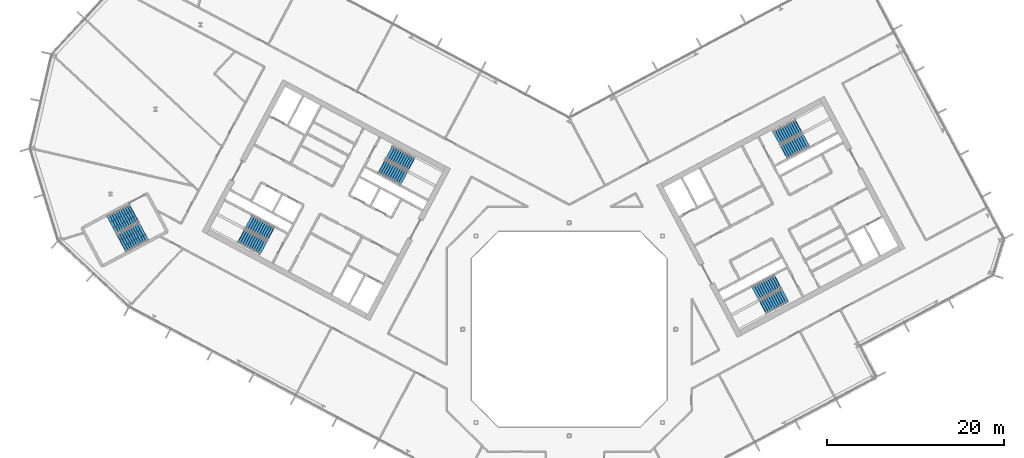
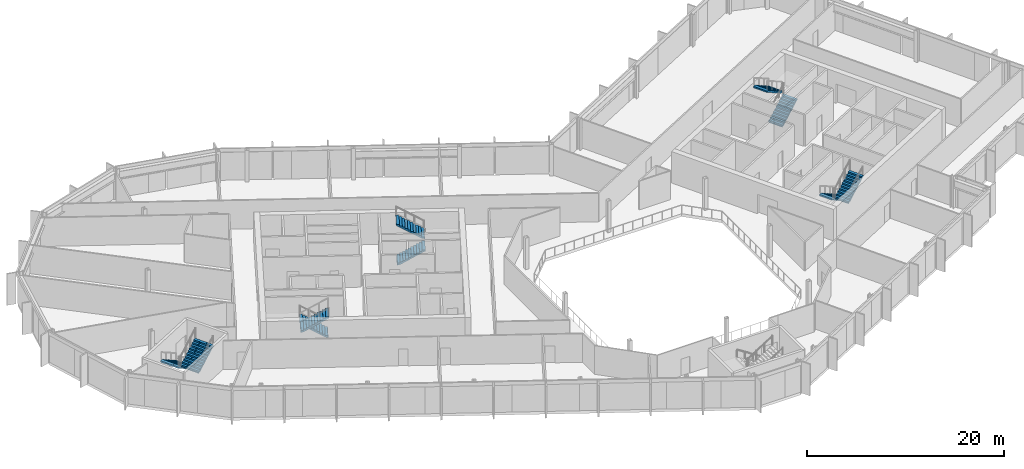
# One storey, part 17 of 26: 10 stair flights, 5 elements without a shape of their own.
"""IFC4 building model written with IfcOpenShell, lengths in metres."""

from ifc_helpers import new_model, si_unit, direction, frame, origin, place, context, subcontext, project, spatial, polyline, outline, extrude, material, type_object, element, aggregate, save


model = new_model("IFC4")

# Units and contexts
model_context = context("Model", 3, precision=1e-05, world=origin(), true_north=direction((0.0, 1.0)))
body_context = subcontext(model_context, "Body", "Model", "MODEL_VIEW")
ifc_project = project(units=[si_unit("LENGTHUNIT", "METRE"), si_unit("AREAUNIT", "SQUARE_METRE"), si_unit("VOLUMEUNIT", "CUBIC_METRE"), si_unit("PLANEANGLEUNIT", "RADIAN"), si_unit("MASSUNIT", "GRAM", prefix="KILO")], contexts=[model_context])

# Site, building, storey
site_placement = place(None, origin())
site = spatial("IfcSite", under=ifc_project, at=site_placement, CompositionType="ELEMENT")
building_placement = place(site_placement, origin())
building = spatial("IfcBuilding", under=site, at=building_placement, Name="Cormorant Relay Tower", CompositionType="ELEMENT")
storey_placement = place(building_placement, frame((0.0, 0.0, 205.199951171875)))
storey = spatial("IfcBuildingStorey", under=building, at=storey_placement, Name="L44", CompositionType="ELEMENT", Elevation=205.199951171875)

# Stair, stair flights
ifc_material_1 = material(Name="Concrete 40 MPa", Category="concrete")
stair_type_1 = type_object("IfcStairType", Name="Exit stair 1500", PredefinedType="HALF_TURN_STAIR", material=ifc_material_1)
stair_1_placement = place(storey_placement, origin())
stair_1 = element("IfcStair", 1, at=stair_1_placement, inside=storey, type_object=stair_type_1, Name="L44 Stair", PredefinedType="HALF_TURN_STAIR")
ifc_material_2 = material(Name="Concrete 40 MPa", Category="concrete")
stair_flight_type_1 = type_object("IfcStairFlightType", Name="Exit stair flight 1650", PredefinedType="STRAIGHT", material=ifc_material_2)
stair_flight_1_placement = place(storey_placement, frame((-21.114501953125, 18.33349609375, 0.0), z_axis=(0.0, 0.0, 1.0), x_axis=(0.882947592859, -0.469471562786, 0.0)))
stair_flight_1 = element("IfcStairFlight", 2, at=stair_flight_1_placement, type_object=stair_flight_type_1, Name="A1 flight 1", NumberOfRisers=11, NumberOfTreads=10, PredefinedType="STRAIGHT", RiserHeight=0.177272727, TreadLength=0.28, context=body_context, shape_type="SweptSolid", body=[
    extrude(outline(polyline([(-0.050048828125, -0.080078125), (-0.050048828125, 0.0), (0.0, 0.0), (0.0, 0.17724609375), (0.280029296875, 0.17724609375), (0.280029296875, 0.3544921875), (0.56005859375, 0.3544921875), (0.56005859375, 0.53173828125), (0.840087890625, 0.53173828125), (0.840087890625, 0.708984375), (1.1201171875, 0.708984375), (1.1201171875, 0.886474609375), (1.39990234375, 0.886474609375), (1.39990234375, 1.063720703125), (1.679931640625, 1.063720703125), (1.679931640625, 1.240966796875), (1.9599609375, 1.240966796875), (1.9599609375, 1.418212890625), (2.239990234375, 1.418212890625), (2.239990234375, 1.595458984375), (2.52001953125, 1.595458984375), (2.52001953125, 1.772705078125), (2.800048828125, 1.772705078125), (2.85009765625, 1.772705078125), (2.85009765625, 1.59521484375), (2.800048828125, 1.59521484375), (0.2802734375, 0.0), (-0.050048828125, -0.080078125)])), frame((0.0, 0.824951171875, 0.0), z_axis=(0.0, -1.0, 0.0), x_axis=(1.0, 0.0, 0.0)), (0.0, 0.0, 1.0), 1.64990234375),
])
stair_flight_2_placement = place(storey_placement, frame((-17.797119140625, 18.6083984375, 1.949951171875), z_axis=(0.0, 0.0, 1.0), x_axis=(-0.882947592859, 0.469471562786, 0.0)))
stair_flight_2 = element("IfcStairFlight", 3, at=stair_flight_2_placement, type_object=stair_flight_type_1, Name="A1 flight 2", NumberOfRisers=11, NumberOfTreads=10, PredefinedType="STRAIGHT", RiserHeight=0.177272727, TreadLength=0.28, context=body_context, shape_type="SweptSolid", body=[
    extrude(outline(polyline([(-0.050048828125, -0.080078125), (-0.050048828125, 0.0), (0.0, 0.0), (0.0, 0.17724609375), (0.280029296875, 0.17724609375), (0.280029296875, 0.3544921875), (0.56005859375, 0.3544921875), (0.56005859375, 0.53173828125), (0.840087890625, 0.53173828125), (0.840087890625, 0.708984375), (1.1201171875, 0.708984375), (1.1201171875, 0.886474609375), (1.39990234375, 0.886474609375), (1.39990234375, 1.063720703125), (1.679931640625, 1.063720703125), (1.679931640625, 1.240966796875), (1.9599609375, 1.240966796875), (1.9599609375, 1.418212890625), (2.239990234375, 1.418212890625), (2.239990234375, 1.595458984375), (2.52001953125, 1.595458984375), (2.52001953125, 1.772705078125), (2.800048828125, 1.772705078125), (2.85009765625, 1.772705078125), (2.85009765625, 1.59521484375), (2.800048828125, 1.59521484375), (0.2802734375, 0.0), (-0.050048828125, -0.080078125)])), frame((0.0, 0.824951171875, 0.0), z_axis=(0.0, -1.0, 0.0), x_axis=(1.0, 0.0, 0.0)), (0.0, 0.0, 1.0), 1.64990234375),
])
aggregate(stair_1, [stair_flight_1, stair_flight_2])

stair_2_placement = place(storey_placement, origin())
stair_2 = element("IfcStair", 4, at=stair_2_placement, inside=storey, type_object=stair_type_1, Name="L44 Stair", PredefinedType="HALF_TURN_STAIR")
stair_flight_3_placement = place(storey_placement, frame((-33.62841796875, 10.773681640625, 0.0), z_axis=(0.0, 0.0, 1.0), x_axis=(-0.882947592859, 0.469471562786, 0.0)))
stair_flight_3 = element("IfcStairFlight", 5, at=stair_flight_3_placement, type_object=stair_flight_type_1, Name="A2 flight 1", NumberOfRisers=11, NumberOfTreads=10, PredefinedType="STRAIGHT", RiserHeight=0.177272727, TreadLength=0.28, context=body_context, shape_type="SweptSolid", body=[
    extrude(outline(polyline([(-0.050048828125, -0.080078125), (-0.050048828125, 0.0), (0.0, 0.0), (0.0, 0.17724609375), (0.280029296875, 0.17724609375), (0.280029296875, 0.3544921875), (0.56005859375, 0.3544921875), (0.56005859375, 0.53173828125), (0.840087890625, 0.53173828125), (0.840087890625, 0.708984375), (1.1201171875, 0.708984375), (1.1201171875, 0.886474609375), (1.39990234375, 0.886474609375), (1.39990234375, 1.063720703125), (1.679931640625, 1.063720703125), (1.679931640625, 1.240966796875), (1.9599609375, 1.240966796875), (1.9599609375, 1.418212890625), (2.239990234375, 1.418212890625), (2.239990234375, 1.595458984375), (2.52001953125, 1.595458984375), (2.52001953125, 1.772705078125), (2.800048828125, 1.772705078125), (2.85009765625, 1.772705078125), (2.85009765625, 1.59521484375), (2.800048828125, 1.59521484375), (0.2802734375, 0.0), (-0.050048828125, -0.080078125)])), frame((0.0, 0.824951171875, 0.0), z_axis=(0.0, -1.0, 0.0), x_axis=(1.0, 0.0, 0.0)), (0.0, 0.0, 1.0), 1.64990234375),
])
stair_flight_4_placement = place(storey_placement, frame((-36.945556640625, 10.498779296875, 1.949951171875), z_axis=(0.0, 0.0, 1.0), x_axis=(0.882947592859, -0.469471562786, 0.0)))
stair_flight_4 = element("IfcStairFlight", 6, at=stair_flight_4_placement, type_object=stair_flight_type_1, Name="A2 flight 2", NumberOfRisers=11, NumberOfTreads=10, PredefinedType="STRAIGHT", RiserHeight=0.177272727, TreadLength=0.28, context=body_context, shape_type="SweptSolid", body=[
    extrude(outline(polyline([(-0.050048828125, -0.080078125), (-0.050048828125, 0.0), (0.0, 0.0), (0.0, 0.17724609375), (0.280029296875, 0.17724609375), (0.280029296875, 0.3544921875), (0.56005859375, 0.3544921875), (0.56005859375, 0.53173828125), (0.840087890625, 0.53173828125), (0.840087890625, 0.708984375), (1.1201171875, 0.708984375), (1.1201171875, 0.886474609375), (1.39990234375, 0.886474609375), (1.39990234375, 1.063720703125), (1.679931640625, 1.063720703125), (1.679931640625, 1.240966796875), (1.9599609375, 1.240966796875), (1.9599609375, 1.418212890625), (2.239990234375, 1.418212890625), (2.239990234375, 1.595458984375), (2.52001953125, 1.595458984375), (2.52001953125, 1.772705078125), (2.800048828125, 1.772705078125), (2.85009765625, 1.772705078125), (2.85009765625, 1.59521484375), (2.800048828125, 1.59521484375), (0.2802734375, 0.0), (-0.050048828125, -0.080078125)])), frame((0.0, 0.824951171875, 0.0), z_axis=(0.0, -1.0, 0.0), x_axis=(1.0, 0.0, 0.0)), (0.0, 0.0, 1.0), 1.64990234375),
])
aggregate(stair_2, [stair_flight_3, stair_flight_4])

stair_3_placement = place(storey_placement, origin())
stair_3 = element("IfcStair", 7, at=stair_3_placement, inside=storey, type_object=stair_type_1, Name="L44 Stair", PredefinedType="HALF_TURN_STAIR")
stair_flight_5_placement = place(storey_placement, frame((23.474365234375, 5.374755859375, 0.0), z_axis=(0.0, 0.0, 1.0), x_axis=(-0.882947592859, -0.469471562786, 0.0)))
stair_flight_5 = element("IfcStairFlight", 8, at=stair_flight_5_placement, type_object=stair_flight_type_1, Name="B1 flight 1", NumberOfRisers=11, NumberOfTreads=10, PredefinedType="STRAIGHT", RiserHeight=0.177272727, TreadLength=0.28, context=body_context, shape_type="SweptSolid", body=[
    extrude(outline(polyline([(-0.050048828125, -0.080078125), (-0.050048828125, 0.0), (0.0, 0.0), (0.0, 0.17724609375), (0.280029296875, 0.17724609375), (0.280029296875, 0.3544921875), (0.56005859375, 0.3544921875), (0.56005859375, 0.53173828125), (0.840087890625, 0.53173828125), (0.840087890625, 0.708984375), (1.1201171875, 0.708984375), (1.1201171875, 0.886474609375), (1.39990234375, 0.886474609375), (1.39990234375, 1.063720703125), (1.679931640625, 1.063720703125), (1.679931640625, 1.240966796875), (1.9599609375, 1.240966796875), (1.9599609375, 1.418212890625), (2.239990234375, 1.418212890625), (2.239990234375, 1.595458984375), (2.52001953125, 1.595458984375), (2.52001953125, 1.772705078125), (2.800048828125, 1.772705078125), (2.85009765625, 1.772705078125), (2.85009765625, 1.59521484375), (2.800048828125, 1.59521484375), (0.2802734375, 0.0), (-0.050048828125, -0.080078125)])), frame((0.0, 0.824951171875, 0.0), z_axis=(0.0, -1.0, 0.0), x_axis=(1.0, 0.0, 0.0)), (0.0, 0.0, 1.0), 1.64990234375),
])
stair_flight_6_placement = place(storey_placement, frame((21.84716796875, 2.470947265625, 1.949951171875), z_axis=(0.0, 0.0, 1.0), x_axis=(0.882947592859, 0.469471562786, 0.0)))
stair_flight_6 = element("IfcStairFlight", 9, at=stair_flight_6_placement, type_object=stair_flight_type_1, Name="B1 flight 2", NumberOfRisers=11, NumberOfTreads=10, PredefinedType="STRAIGHT", RiserHeight=0.177272727, TreadLength=0.28, context=body_context, shape_type="SweptSolid", body=[
    extrude(outline(polyline([(-0.050048828125, -0.080078125), (-0.050048828125, 0.0), (0.0, 0.0), (0.0, 0.17724609375), (0.280029296875, 0.17724609375), (0.280029296875, 0.3544921875), (0.56005859375, 0.3544921875), (0.56005859375, 0.53173828125), (0.840087890625, 0.53173828125), (0.840087890625, 0.708984375), (1.1201171875, 0.708984375), (1.1201171875, 0.886474609375), (1.39990234375, 0.886474609375), (1.39990234375, 1.063720703125), (1.679931640625, 1.063720703125), (1.679931640625, 1.240966796875), (1.9599609375, 1.240966796875), (1.9599609375, 1.418212890625), (2.239990234375, 1.418212890625), (2.239990234375, 1.595458984375), (2.52001953125, 1.595458984375), (2.52001953125, 1.772705078125), (2.800048828125, 1.772705078125), (2.85009765625, 1.772705078125), (2.85009765625, 1.59521484375), (2.800048828125, 1.59521484375), (0.2802734375, 0.0), (-0.050048828125, -0.080078125)])), frame((0.0, 0.824951171875, 0.0), z_axis=(0.0, -1.0, 0.0), x_axis=(1.0, 0.0, 0.0)), (0.0, 0.0, 1.0), 1.64990234375),
])
aggregate(stair_3, [stair_flight_5, stair_flight_6])

stair_4_placement = place(storey_placement, origin())
stair_4 = element("IfcStair", 10, at=stair_4_placement, inside=storey, type_object=stair_type_1, Name="L44 Stair", PredefinedType="HALF_TURN_STAIR")
stair_flight_7_placement = place(storey_placement, frame((24.20458984375, 19.976806640625, 0.0), z_axis=(0.0, 0.0, 1.0), x_axis=(0.882947592859, 0.469471562786, 0.0)))
stair_flight_7 = element("IfcStairFlight", 11, at=stair_flight_7_placement, type_object=stair_flight_type_1, Name="B2 flight 1", NumberOfRisers=11, NumberOfTreads=10, PredefinedType="STRAIGHT", RiserHeight=0.177272727, TreadLength=0.28, context=body_context, shape_type="SweptSolid", body=[
    extrude(outline(polyline([(-0.050048828125, -0.080078125), (-0.050048828125, 0.0), (0.0, 0.0), (0.0, 0.17724609375), (0.280029296875, 0.17724609375), (0.280029296875, 0.3544921875), (0.56005859375, 0.3544921875), (0.56005859375, 0.53173828125), (0.840087890625, 0.53173828125), (0.840087890625, 0.708984375), (1.1201171875, 0.708984375), (1.1201171875, 0.886474609375), (1.39990234375, 0.886474609375), (1.39990234375, 1.063720703125), (1.679931640625, 1.063720703125), (1.679931640625, 1.240966796875), (1.9599609375, 1.240966796875), (1.9599609375, 1.418212890625), (2.239990234375, 1.418212890625), (2.239990234375, 1.595458984375), (2.52001953125, 1.595458984375), (2.52001953125, 1.772705078125), (2.800048828125, 1.772705078125), (2.85009765625, 1.772705078125), (2.85009765625, 1.59521484375), (2.800048828125, 1.59521484375), (0.2802734375, 0.0), (-0.050048828125, -0.080078125)])), frame((0.0, 0.824951171875, 0.0), z_axis=(0.0, -1.0, 0.0), x_axis=(1.0, 0.0, 0.0)), (0.0, 0.0, 1.0), 1.64990234375),
])
stair_flight_8_placement = place(storey_placement, frame((25.831787109375, 22.880615234375, 1.949951171875), z_axis=(0.0, 0.0, 1.0), x_axis=(-0.882947592859, -0.469471562786, 0.0)))
stair_flight_8 = element("IfcStairFlight", 12, at=stair_flight_8_placement, type_object=stair_flight_type_1, Name="B2 flight 2", NumberOfRisers=11, NumberOfTreads=10, PredefinedType="STRAIGHT", RiserHeight=0.177272727, TreadLength=0.28, context=body_context, shape_type="SweptSolid", body=[
    extrude(outline(polyline([(-0.050048828125, -0.080078125), (-0.050048828125, 0.0), (0.0, 0.0), (0.0, 0.17724609375), (0.280029296875, 0.17724609375), (0.280029296875, 0.3544921875), (0.56005859375, 0.3544921875), (0.56005859375, 0.53173828125), (0.840087890625, 0.53173828125), (0.840087890625, 0.708984375), (1.1201171875, 0.708984375), (1.1201171875, 0.886474609375), (1.39990234375, 0.886474609375), (1.39990234375, 1.063720703125), (1.679931640625, 1.063720703125), (1.679931640625, 1.240966796875), (1.9599609375, 1.240966796875), (1.9599609375, 1.418212890625), (2.239990234375, 1.418212890625), (2.239990234375, 1.595458984375), (2.52001953125, 1.595458984375), (2.52001953125, 1.772705078125), (2.800048828125, 1.772705078125), (2.85009765625, 1.772705078125), (2.85009765625, 1.59521484375), (2.800048828125, 1.59521484375), (0.2802734375, 0.0), (-0.050048828125, -0.080078125)])), frame((0.0, 0.824951171875, 0.0), z_axis=(0.0, -1.0, 0.0), x_axis=(1.0, 0.0, 0.0)), (0.0, 0.0, 1.0), 1.64990234375),
])
aggregate(stair_4, [stair_flight_7, stair_flight_8])

ifc_material_3 = material(Name="Concrete 40 MPa", Category="concrete")
stair_type_2 = type_object("IfcStairType", Name="Remote exit stair 2200", PredefinedType="HALF_TURN_STAIR", material=ifc_material_3)
stair_5_placement = place(storey_placement, origin())
stair_5 = element("IfcStair", 13, at=stair_5_placement, inside=storey, type_object=stair_type_2, Name="L44 Stair", PredefinedType="HALF_TURN_STAIR")
ifc_material_4 = material(Name="Concrete 40 MPa", Category="concrete")
stair_flight_type_2 = type_object("IfcStairFlightType", Name="Remote exit stair flight 2200", PredefinedType="STRAIGHT", material=ifc_material_4)
stair_flight_9_placement = place(storey_placement, frame((-49.062255859375, 13.08251953125, 0.0), z_axis=(0.0, 0.0, 1.0), x_axis=(-0.882947502727, -0.4694717323, 0.0)))
stair_flight_9 = element("IfcStairFlight", 14, at=stair_flight_9_placement, type_object=stair_flight_type_2, Name="RP1 flight 1", NumberOfRisers=11, NumberOfTreads=10, PredefinedType="STRAIGHT", RiserHeight=0.177272727, TreadLength=0.28, context=body_context, shape_type="SweptSolid", body=[
    extrude(outline(polyline([(-0.050048828125, -0.080078125), (-0.050048828125, 0.0), (0.0, 0.0), (0.0, 0.17724609375), (0.280029296875, 0.17724609375), (0.280029296875, 0.3544921875), (0.56005859375, 0.3544921875), (0.56005859375, 0.53173828125), (0.840087890625, 0.53173828125), (0.840087890625, 0.708984375), (1.1201171875, 0.708984375), (1.1201171875, 0.886474609375), (1.39990234375, 0.886474609375), (1.39990234375, 1.063720703125), (1.679931640625, 1.063720703125), (1.679931640625, 1.240966796875), (1.9599609375, 1.240966796875), (1.9599609375, 1.418212890625), (2.239990234375, 1.418212890625), (2.239990234375, 1.595458984375), (2.52001953125, 1.595458984375), (2.52001953125, 1.772705078125), (2.800048828125, 1.772705078125), (2.85009765625, 1.772705078125), (2.85009765625, 1.59521484375), (2.800048828125, 1.59521484375), (0.2802734375, 0.0), (-0.050048828125, -0.080078125)])), frame((0.0, 1.10009765625, 0.0), z_axis=(0.0, -1.0, 0.0), x_axis=(1.0, 0.0, 0.0)), (0.0, 0.0, 1.0), 0.719970703125),
    extrude(outline(polyline([(-0.050048828125, -0.080078125), (-0.050048828125, 0.0), (0.0, 0.0), (0.0, 0.17724609375), (0.280029296875, 0.17724609375), (0.280029296875, 0.3544921875), (0.56005859375, 0.3544921875), (0.56005859375, 0.53173828125), (0.840087890625, 0.53173828125), (0.840087890625, 0.708984375), (1.1201171875, 0.708984375), (1.1201171875, 0.886474609375), (1.39990234375, 0.886474609375), (1.39990234375, 1.063720703125), (1.679931640625, 1.063720703125), (1.679931640625, 1.240966796875), (1.9599609375, 1.240966796875), (1.9599609375, 1.418212890625), (2.239990234375, 1.418212890625), (2.239990234375, 1.595458984375), (2.52001953125, 1.595458984375), (2.52001953125, 1.772705078125), (2.800048828125, 1.772705078125), (2.85009765625, 1.772705078125), (2.85009765625, 1.59521484375), (2.800048828125, 1.59521484375), (0.2802734375, 0.0), (-0.050048828125, -0.080078125)])), frame((0.0, 0.360107421875, 0.0), z_axis=(0.0, -1.0, 0.0), x_axis=(1.0, 0.0, 0.0)), (0.0, 0.0, 1.0), 0.719970703125),
    extrude(outline(polyline([(-0.050048828125, -0.080078125), (-0.050048828125, 0.0), (0.0, 0.0), (0.0, 0.17724609375), (0.280029296875, 0.17724609375), (0.280029296875, 0.3544921875), (0.56005859375, 0.3544921875), (0.56005859375, 0.53173828125), (0.840087890625, 0.53173828125), (0.840087890625, 0.708984375), (1.1201171875, 0.708984375), (1.1201171875, 0.886474609375), (1.39990234375, 0.886474609375), (1.39990234375, 1.063720703125), (1.679931640625, 1.063720703125), (1.679931640625, 1.240966796875), (1.9599609375, 1.240966796875), (1.9599609375, 1.418212890625), (2.239990234375, 1.418212890625), (2.239990234375, 1.595458984375), (2.52001953125, 1.595458984375), (2.52001953125, 1.772705078125), (2.800048828125, 1.772705078125), (2.85009765625, 1.772705078125), (2.85009765625, 1.59521484375), (2.800048828125, 1.59521484375), (0.2802734375, 0.0), (-0.050048828125, -0.080078125)])), frame((0.0, -0.3798828125, 0.0), z_axis=(0.0, -1.0, 0.0), x_axis=(1.0, 0.0, 0.0)), (0.0, 0.0, 1.0), 0.719970703125),
])
stair_flight_10_placement = place(storey_placement, frame((-50.431396484375, 9.693115234375, 1.949951171875), z_axis=(0.0, 0.0, 1.0), x_axis=(0.882947502727, 0.4694717323, 0.0)))
stair_flight_10 = element("IfcStairFlight", 15, at=stair_flight_10_placement, type_object=stair_flight_type_2, Name="RP1 flight 2", NumberOfRisers=11, NumberOfTreads=10, PredefinedType="STRAIGHT", RiserHeight=0.177272727, TreadLength=0.28, context=body_context, shape_type="SweptSolid", body=[
    extrude(outline(polyline([(-0.050048828125, -0.080078125), (-0.050048828125, 0.0), (0.0, 0.0), (0.0, 0.17724609375), (0.280029296875, 0.17724609375), (0.280029296875, 0.3544921875), (0.56005859375, 0.3544921875), (0.56005859375, 0.53173828125), (0.840087890625, 0.53173828125), (0.840087890625, 0.708984375), (1.1201171875, 0.708984375), (1.1201171875, 0.886474609375), (1.39990234375, 0.886474609375), (1.39990234375, 1.063720703125), (1.679931640625, 1.063720703125), (1.679931640625, 1.240966796875), (1.9599609375, 1.240966796875), (1.9599609375, 1.418212890625), (2.239990234375, 1.418212890625), (2.239990234375, 1.595458984375), (2.52001953125, 1.595458984375), (2.52001953125, 1.772705078125), (2.800048828125, 1.772705078125), (2.85009765625, 1.772705078125), (2.85009765625, 1.59521484375), (2.800048828125, 1.59521484375), (0.2802734375, 0.0), (-0.050048828125, -0.080078125)])), frame((0.0, 1.10009765625, 0.0), z_axis=(0.0, -1.0, 0.0), x_axis=(1.0, 0.0, 0.0)), (0.0, 0.0, 1.0), 0.719970703125),
    extrude(outline(polyline([(-0.050048828125, -0.080078125), (-0.050048828125, 0.0), (0.0, 0.0), (0.0, 0.17724609375), (0.280029296875, 0.17724609375), (0.280029296875, 0.3544921875), (0.56005859375, 0.3544921875), (0.56005859375, 0.53173828125), (0.840087890625, 0.53173828125), (0.840087890625, 0.708984375), (1.1201171875, 0.708984375), (1.1201171875, 0.886474609375), (1.39990234375, 0.886474609375), (1.39990234375, 1.063720703125), (1.679931640625, 1.063720703125), (1.679931640625, 1.240966796875), (1.9599609375, 1.240966796875), (1.9599609375, 1.418212890625), (2.239990234375, 1.418212890625), (2.239990234375, 1.595458984375), (2.52001953125, 1.595458984375), (2.52001953125, 1.772705078125), (2.800048828125, 1.772705078125), (2.85009765625, 1.772705078125), (2.85009765625, 1.59521484375), (2.800048828125, 1.59521484375), (0.2802734375, 0.0), (-0.050048828125, -0.080078125)])), frame((0.0, 0.360107421875, 0.0), z_axis=(0.0, -1.0, 0.0), x_axis=(1.0, 0.0, 0.0)), (0.0, 0.0, 1.0), 0.719970703125),
    extrude(outline(polyline([(-0.050048828125, -0.080078125), (-0.050048828125, 0.0), (0.0, 0.0), (0.0, 0.17724609375), (0.280029296875, 0.17724609375), (0.280029296875, 0.3544921875), (0.56005859375, 0.3544921875), (0.56005859375, 0.53173828125), (0.840087890625, 0.53173828125), (0.840087890625, 0.708984375), (1.1201171875, 0.708984375), (1.1201171875, 0.886474609375), (1.39990234375, 0.886474609375), (1.39990234375, 1.063720703125), (1.679931640625, 1.063720703125), (1.679931640625, 1.240966796875), (1.9599609375, 1.240966796875), (1.9599609375, 1.418212890625), (2.239990234375, 1.418212890625), (2.239990234375, 1.595458984375), (2.52001953125, 1.595458984375), (2.52001953125, 1.772705078125), (2.800048828125, 1.772705078125), (2.85009765625, 1.772705078125), (2.85009765625, 1.59521484375), (2.800048828125, 1.59521484375), (0.2802734375, 0.0), (-0.050048828125, -0.080078125)])), frame((0.0, -0.3798828125, 0.0), z_axis=(0.0, -1.0, 0.0), x_axis=(1.0, 0.0, 0.0)), (0.0, 0.0, 1.0), 0.719970703125),
])
aggregate(stair_5, [stair_flight_9, stair_flight_10])

save(model, "model.ifc")
